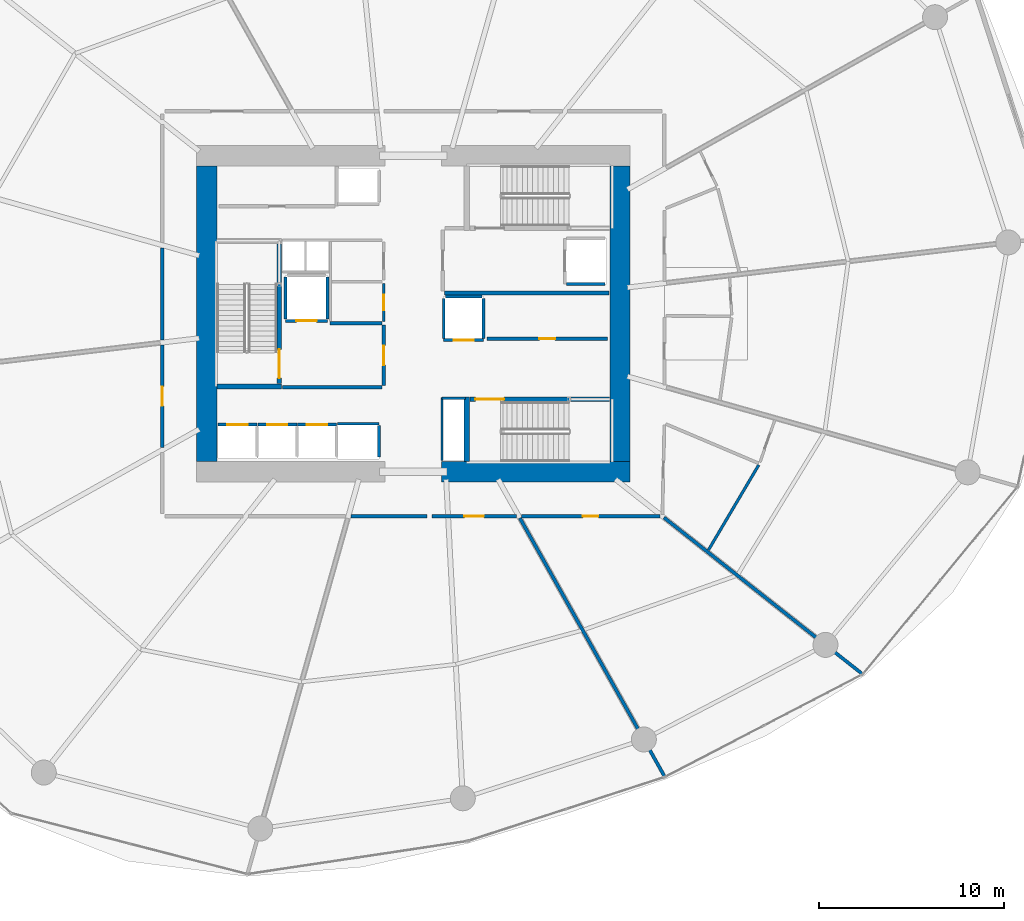
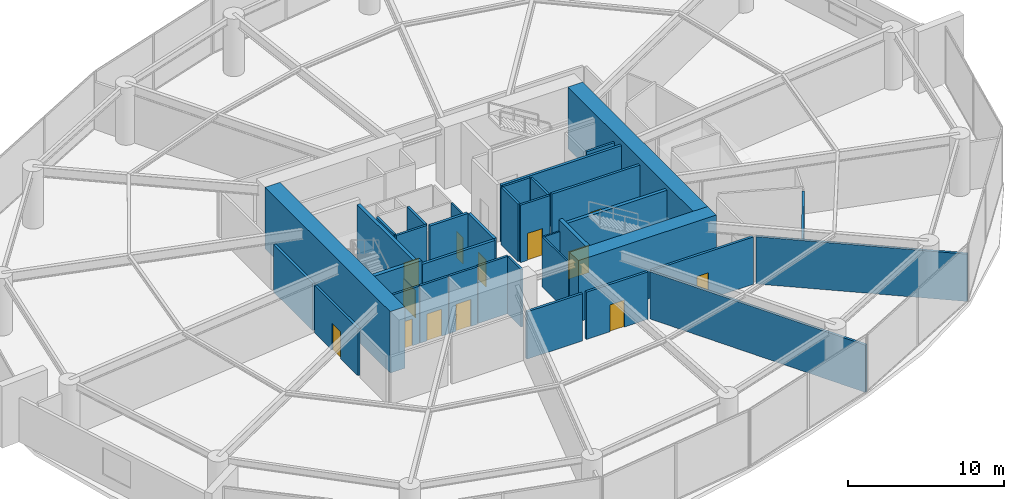
# One storey, part 18 of 22: 36 walls, 13 doors, 13 openings.
"""IFC4 building model written with IfcOpenShell, lengths in metres."""

from ifc_helpers import new_model, si_unit, direction, frame, frame_2d, origin, place, context, subcontext, project, spatial, rectangle, extrude, material, layer, layer_set, type_object, element, fill, save


model = new_model("IFC4")

# Units and contexts
model_context = context("Model", 3, precision=1e-05, world=origin(), true_north=direction((0.0, 1.0)))
body_context = subcontext(model_context, "Body", "Model", "MODEL_VIEW")
ifc_project = project(units=[si_unit("LENGTHUNIT", "METRE"), si_unit("AREAUNIT", "SQUARE_METRE"), si_unit("VOLUMEUNIT", "CUBIC_METRE"), si_unit("PLANEANGLEUNIT", "RADIAN"), si_unit("MASSUNIT", "GRAM", prefix="KILO")], contexts=[model_context])

# Site, building, storey
site_placement = place(None, origin())
site = spatial("IfcSite", under=ifc_project, at=site_placement, CompositionType="ELEMENT")
building_placement = place(site_placement, origin())
building = spatial("IfcBuilding", under=site, at=building_placement, Name="Kazma Halo Residences", CompositionType="ELEMENT")
storey_placement = place(building_placement, frame((0.0, 0.0, 12.0)))
storey = spatial("IfcBuildingStorey", under=building, at=storey_placement, Name="L02", CompositionType="ELEMENT", Elevation=12.0)

# Walls
ifc_material_1 = material(Name="Concrete C80/95", Category="concrete")
ifc_layer_1 = layer(ifc_material_1, 1.10009765625)
ifc_layer_set_1 = layer_set([ifc_layer_1], Name="Concrete C80/95")
wall_type_1 = type_object("IfcWallType", Name="WL-CORE-1100", PredefinedType="SHEAR", material=ifc_layer_set_1)
wall_1_placement = place(storey_placement, frame((49.949951171875, 33.449951171875, 0.0), z_axis=(0.0, 0.0, 1.0), x_axis=(1.0, 0.0, 0.0)))
element("IfcWall", 1, at=wall_1_placement, inside=storey, type_object=wall_type_1, Name="L02 central core shear wall SE", PredefinedType="SHEAR", context=body_context, shape_type="SweptSolid", body=[
    extrude(rectangle(XDim=10.199951171875, YDim=1.10009765625, at=frame_2d((5.10009765625, 0.0))), origin(), (0.0, 0.0, 1.0), 4.800048828125),
])
for number, where, z_axis, x_axis, name in (
    (2, (37.25, 34.0, 0.0), (0.0, 0.0, 1.0), (0.0, 1.0, 0.0), "L02 central core shear wall W"),
    (3, (59.60009765625, 34.0, 0.0), (0.0, 0.0, 1.0), (0.0, 1.0, 0.0), "L02 central core shear wall E"),
):
    element("IfcWall", number, at=place(storey_placement, frame(where, z_axis=z_axis, x_axis=x_axis)), inside=storey, type_object=wall_type_1, Name=name, PredefinedType="SHEAR", context=body_context, shape_type="SweptSolid", body=[
        extrude(rectangle(XDim=16.0, YDim=1.10009765625, at=frame_2d((8.0, 0.0))), origin(), (0.0, 0.0, 1.0), 4.800048828125),
    ])
ifc_material_2 = material(Name="Concrete C60/75", Category="concrete")
ifc_layer_2 = layer(ifc_material_2, 0.280029296875)
ifc_layer_set_2 = layer_set([ifc_layer_2], Name="Concrete C60/75")
wall_type_2 = type_object("IfcWallType", Name="WL-CORE-ST-280", PredefinedType="SHEAR", material=ifc_layer_set_2)
for number, where, z_axis, x_axis, name in (
    (4, (37.800048828125, 38.06005859375, 0.0), (0.0, 0.0, 1.0), (1.0, 0.0, 0.0), "L02 stairwell bearing wall ST01-S"),
    (5, (51.31005859375, 34.0, 0.0), (0.0, 0.0, 1.0), (0.0, 1.0, 0.0), "L02 stairwell bearing wall ST03-W"),
):
    element("IfcWall", number, at=place(storey_placement, frame(where, z_axis=z_axis, x_axis=x_axis)), inside=storey, type_object=wall_type_2, Name=name, PredefinedType="SHEAR", context=body_context, shape_type="SweptSolid", body=[
        extrude(rectangle(XDim=3.5, YDim=0.280029296875, at=frame_2d((1.75, 0.0))), origin(), (0.0, 0.0, 1.0), 4.800048828125),
    ])
ifc_material_3 = material(Name="Acoustic Twin-Stud Gypsum")
ifc_layer_3 = layer(ifc_material_3, 0.179931640625)
ifc_layer_set_3 = layer_set([ifc_layer_3], Name="Acoustic Twin-Stud Gypsum")
wall_type_3 = type_object("IfcWallType", Name="WL-DEM-180", PredefinedType="PARTITIONING", material=ifc_layer_set_3)
wall_2_placement = place(storey_placement, frame((34.85009765625, 45.568603515625, 0.0), z_axis=(0.0, 0.0, 1.0), x_axis=(0.0, -1.0, 0.0)))
element("IfcWall", 6, at=wall_2_placement, inside=storey, type_object=wall_type_3, Name="L02 Hydrotherapy Spa Lounge corridor wall", PredefinedType="PARTITIONING", context=body_context, shape_type="SweptSolid", body=[
    extrude(rectangle(XDim=4.985107421875, YDim=0.179931640625, at=frame_2d((2.49267578125, 0.0))), origin(), (0.0, 0.0, 1.0), 3.693115234375),
])

# Wall, opening, door
wall_3_placement = place(storey_placement, frame((34.85009765625, 40.3037109375, 0.0), z_axis=(0.0, 0.0, 1.0), x_axis=(0.0, -1.0, 0.0)))
wall_3 = element("IfcWall", 7, at=wall_3_placement, inside=storey, type_object=wall_type_3, Name="L02 Hydrotherapy Linen Store Room corridor wall", PredefinedType="PARTITIONING", context=body_context, shape_type="SweptSolid", body=[
    extrude(rectangle(XDim=5.528076171875, YDim=0.179931640625, at=frame_2d((2.76416015625, 0.0))), origin(), (0.0, 0.0, 1.0), 3.693115234375),
])
opening_1_placement = place(wall_3_placement, frame((2.239013671875, 0.0, 0.0)))
opening_1 = element("IfcOpeningElement", 8, at=opening_1_placement, cuts=wall_3, Name="Opening DF-1050", PredefinedType="OPENING", context=body_context, shape_type="SweptSolid", body=[
    extrude(rectangle(XDim=1.050048828125, YDim=2.10009765625, at=frame_2d((0.52490234375, 1.050048828125))), frame((0.0, 0.099853515625, 0.0), z_axis=(0.0, -1.0, 0.0), x_axis=(1.0, 0.0, 0.0)), (0.0, 0.0, 1.0), 0.199951171875),
])
ifc_material_4 = material(Name="Fire-Rated Steel Leaf", Category="steel")
door_type_1 = type_object("IfcDoorType", Name="DR-FD90-1050", OperationType="NOTDEFINED", PredefinedType="DOOR", material=ifc_material_4)
door_1_placement = place(opening_1_placement, origin())
door_1 = element("IfcDoor", 9, at=door_1_placement, inside=storey, type_object=door_type_1, Name="L02 Hydrotherapy Linen Store Room entrance door", OperationType="SINGLE_SWING_RIGHT", OverallHeight=2.10009765625, OverallWidth=1.050048828125, PredefinedType="DOOR", context=body_context, shape_type="SweptSolid", body=[
    extrude(rectangle(XDim=1.050048828125, YDim=2.10009765625, at=frame_2d((0.52490234375, 1.050048828125))), frame((0.0, 0.02490234375, 0.0), z_axis=(0.0, -1.0, 0.0), x_axis=(1.0, 0.0, 0.0)), (0.0, 0.0, 1.0), 0.050048828125),
])
fill(opening_1, door_1)

# Wall
wall_4_placement = place(storey_placement, frame((45.0517578125, 31.050048828125, 0.0), z_axis=(0.0, 0.0, 1.0), x_axis=(1.0, 0.0, 0.0)))
element("IfcWall", 10, at=wall_4_placement, inside=storey, type_object=wall_type_3, Name="L02 Wellness Linen and Towel Store corridor wall", PredefinedType="PARTITIONING", context=body_context, shape_type="SweptSolid", body=[
    extrude(rectangle(XDim=4.104248046875, YDim=0.179931640625, at=frame_2d((2.05224609375, 0.0))), origin(), (0.0, 0.0, 1.0), 3.693115234375),
])

# Wall, opening, door
wall_5_placement = place(storey_placement, frame((49.43603515625, 31.050048828125, 0.0), z_axis=(0.0, 0.0, 1.0), x_axis=(1.0, 0.0, 0.0)))
wall_5 = element("IfcWall", 11, at=wall_5_placement, inside=storey, type_object=wall_type_3, Name="L02 Wellness Linen and Towel Store corridor wall", PredefinedType="PARTITIONING", context=body_context, shape_type="SweptSolid", body=[
    extrude(rectangle(XDim=4.55615234375, YDim=0.179931640625, at=frame_2d((2.278076171875, 0.0))), origin(), (0.0, 0.0, 1.0), 3.693115234375),
])
opening_2_placement = place(wall_5_placement, frame((1.753173828125, 0.0, 0.0)))
opening_2 = element("IfcOpeningElement", 12, at=opening_2_placement, cuts=wall_5, Name="Opening DF-1050", PredefinedType="OPENING", context=body_context, shape_type="SweptSolid", body=[
    extrude(rectangle(XDim=1.050048828125, YDim=2.10009765625, at=frame_2d((0.52490234375, 1.050048828125))), frame((0.0, 0.099853515625, 0.0), z_axis=(0.0, -1.0, 0.0), x_axis=(1.0, 0.0, 0.0)), (0.0, 0.0, 1.0), 0.199951171875),
])
door_2_placement = place(opening_2_placement, origin())
door_2 = element("IfcDoor", 13, at=door_2_placement, inside=storey, type_object=door_type_1, Name="L02 Wellness Linen and Towel Store entrance door", OperationType="SINGLE_SWING_LEFT", OverallHeight=2.10009765625, OverallWidth=1.050048828125, PredefinedType="DOOR", context=body_context, shape_type="SweptSolid", body=[
    extrude(rectangle(XDim=1.050048828125, YDim=2.10009765625, at=frame_2d((0.52490234375, 1.050048828125))), frame((0.0, 0.02490234375, 0.0), z_axis=(0.0, -1.0, 0.0), x_axis=(1.0, 0.0, 0.0)), (0.0, 0.0, 1.0), 0.050048828125),
])
fill(opening_2, door_2)

# Wall
wall_6_placement = place(storey_placement, frame((54.18603515625, 30.9541015625, 0.0), z_axis=(0.0, 0.0, 1.0), x_axis=(0.48862053439, -0.872496403071, 0.0)))
element("IfcWall", 14, at=wall_6_placement, inside=storey, type_object=wall_type_3, Name="L02 radial partition wall 12", PredefinedType="PARTITIONING", context=body_context, shape_type="SweptSolid", body=[
    extrude(rectangle(XDim=16.0244140625, YDim=0.179931640625, at=frame_2d((8.01220703125, 0.0))), origin(), (0.0, 0.0, 1.0), 3.693115234375),
])

# Wall, opening, door
wall_7_placement = place(storey_placement, frame((54.272216796875, 31.050048828125, 0.0), z_axis=(0.0, 0.0, 1.0), x_axis=(1.0, 0.0, 0.0)))
wall_7 = element("IfcWall", 15, at=wall_7_placement, inside=storey, type_object=wall_type_3, Name="L02 Spa Equipment Store Room corridor wall", PredefinedType="PARTITIONING", context=body_context, shape_type="SweptSolid", body=[
    extrude(rectangle(XDim=7.477783203125, YDim=0.179931640625, at=frame_2d((3.73876953125, 0.0))), origin(), (0.0, 0.0, 1.0), 3.693115234375),
])
opening_3_placement = place(wall_7_placement, frame((3.313720703125, 0.0, 0.0)))
opening_3 = element("IfcOpeningElement", 16, at=opening_3_placement, cuts=wall_7, Name="Opening DS-850", PredefinedType="OPENING", context=body_context, shape_type="SweptSolid", body=[
    extrude(rectangle(XDim=0.85009765625, YDim=2.06005859375, at=frame_2d((0.425048828125, 1.030029296875))), frame((0.0, 0.099853515625, 0.0), z_axis=(0.0, -1.0, 0.0), x_axis=(1.0, 0.0, 0.0)), (0.0, 0.0, 1.0), 0.199951171875),
])
ifc_material_5 = material(Name="Painted Steel Access Leaf", Category="steel")
door_type_2 = type_object("IfcDoorType", Name="DR-SVC-850", OperationType="NOTDEFINED", PredefinedType="DOOR", material=ifc_material_5)
door_3_placement = place(opening_3_placement, origin())
door_3 = element("IfcDoor", 17, at=door_3_placement, inside=storey, type_object=door_type_2, Name="L02 Spa Equipment Store Room entrance door", OperationType="SINGLE_SWING_RIGHT", OverallHeight=2.06005859375, OverallWidth=0.85009765625, PredefinedType="DOOR", context=body_context, shape_type="SweptSolid", body=[
    extrude(rectangle(XDim=0.85009765625, YDim=2.06005859375, at=frame_2d((0.425048828125, 1.030029296875))), frame((0.0, 0.02490234375, 0.0), z_axis=(0.0, -1.0, 0.0), x_axis=(1.0, 0.0, 0.0)), (0.0, 0.0, 1.0), 0.050048828125),
])
fill(opening_3, door_3)

# Wall
wall_8_placement = place(storey_placement, frame((61.976318359375, 30.98193359375, 0.0), z_axis=(0.0, 0.0, 1.0), x_axis=(0.785315783489, -0.619095404766, 0.0)))
element("IfcWall", 18, at=wall_8_placement, inside=storey, type_object=wall_type_3, Name="L02 radial partition wall 13", PredefinedType="PARTITIONING", context=body_context, shape_type="SweptSolid", body=[
    extrude(rectangle(XDim=13.6611328125, YDim=0.179931640625, at=frame_2d((6.83056640625, 0.0))), origin(), (0.0, 0.0, 1.0), 3.693115234375),
])

# Wall, opening, door
ifc_material_6 = material(Name="Fire-Rated Blockwork Masonry", Category="masonry")
ifc_layer_4 = layer(ifc_material_6, 0.199951171875)
ifc_layer_set_4 = layer_set([ifc_layer_4], Name="Fire-Rated Blockwork Masonry")
wall_type_4 = type_object("IfcWallType", Name="WL-FLB-200", PredefinedType="PARTITIONING", material=ifc_layer_set_4)
wall_9_placement = place(storey_placement, frame((37.864990234375, 36.0048828125, 0.0), z_axis=(0.0, 0.0, 1.0), x_axis=(1.0, 0.0, 0.0)))
wall_9 = element("IfcWall", 19, at=wall_9_placement, inside=storey, type_object=wall_type_4, Name="L02 lift shaft PL-01 front wall", PredefinedType="PARTITIONING", context=body_context, shape_type="SweptSolid", body=[
    extrude(rectangle(XDim=2.110107421875, YDim=0.159912109375, at=frame_2d((1.05517578125, 0.0))), origin(), (0.0, 0.0, 1.0), 4.47998046875),
])
opening_4_placement = place(wall_9_placement, frame((0.5048828125, 0.0, 0.0)))
opening_4 = element("IfcOpeningElement", 20, at=opening_4_placement, cuts=wall_9, Name="Opening LD-PL-01", PredefinedType="OPENING", context=body_context, shape_type="SweptSolid", body=[
    extrude(rectangle(XDim=1.10009765625, YDim=2.10009765625, at=frame_2d((0.550048828125, 1.050048828125))), frame((0.0, 0.08984375, 0.0), z_axis=(0.0, -1.0, 0.0), x_axis=(1.0, 0.0, 0.0)), (0.0, 0.0, 1.0), 0.179931640625),
])
ifc_material_7 = material(Name="Stainless Steel Fire-Rated", Category="steel")
door_type_3 = type_object("IfcDoorType", Name="DR-LIFT-SLD-1100", OperationType="DOUBLE_DOOR_SLIDING", PredefinedType="DOOR", material=ifc_material_7)
door_4_placement = place(opening_4_placement, origin())
door_4 = element("IfcDoor", 21, at=door_4_placement, inside=storey, type_object=door_type_3, Name="L02 lift PL-01 sliding landing door", OperationType="DOUBLE_DOOR_SLIDING", OverallHeight=2.10009765625, OverallWidth=1.10009765625, PredefinedType="DOOR", context=body_context, shape_type="SweptSolid", body=[
    extrude(rectangle(XDim=1.10009765625, YDim=2.10009765625, at=frame_2d((0.550048828125, 1.050048828125))), frame((0.0, 0.02490234375, 0.0), z_axis=(0.0, -1.0, 0.0), x_axis=(1.0, 0.0, 0.0)), (0.0, 0.0, 1.0), 0.050048828125),
])
fill(opening_4, door_4)

wall_10_placement = place(storey_placement, frame((40.014892578125, 36.0048828125, 0.0), z_axis=(0.0, 0.0, 1.0), x_axis=(1.0, 0.0, 0.0)))
wall_10 = element("IfcWall", 22, at=wall_10_placement, inside=storey, type_object=wall_type_4, Name="L02 lift shaft PL-02 front wall", PredefinedType="PARTITIONING", context=body_context, shape_type="SweptSolid", body=[
    extrude(rectangle(XDim=2.110107421875, YDim=0.159912109375, at=frame_2d((1.05517578125, 0.0))), origin(), (0.0, 0.0, 1.0), 4.47998046875),
])
opening_5_placement = place(wall_10_placement, frame((0.5048828125, 0.0, 0.0)))
opening_5 = element("IfcOpeningElement", 23, at=opening_5_placement, cuts=wall_10, Name="Opening LD-PL-02", PredefinedType="OPENING", context=body_context, shape_type="SweptSolid", body=[
    extrude(rectangle(XDim=1.10009765625, YDim=2.10009765625, at=frame_2d((0.550048828125, 1.050048828125))), frame((0.0, 0.08984375, 0.0), z_axis=(0.0, -1.0, 0.0), x_axis=(1.0, 0.0, 0.0)), (0.0, 0.0, 1.0), 0.179931640625),
])
door_5_placement = place(opening_5_placement, origin())
door_5 = element("IfcDoor", 24, at=door_5_placement, inside=storey, type_object=door_type_3, Name="L02 lift PL-02 sliding landing door", OperationType="DOUBLE_DOOR_SLIDING", OverallHeight=2.10009765625, OverallWidth=1.10009765625, PredefinedType="DOOR", context=body_context, shape_type="SweptSolid", body=[
    extrude(rectangle(XDim=1.10009765625, YDim=2.10009765625, at=frame_2d((0.550048828125, 1.050048828125))), frame((0.0, 0.02490234375, 0.0), z_axis=(0.0, -1.0, 0.0), x_axis=(1.0, 0.0, 0.0)), (0.0, 0.0, 1.0), 0.050048828125),
])
fill(opening_5, door_5)

wall_11_placement = place(storey_placement, frame((42.1650390625, 36.0048828125, 0.0), z_axis=(0.0, 0.0, 1.0), x_axis=(1.0, 0.0, 0.0)))
wall_11 = element("IfcWall", 25, at=wall_11_placement, inside=storey, type_object=wall_type_4, Name="L02 lift shaft PL-03 front wall", PredefinedType="PARTITIONING", context=body_context, shape_type="SweptSolid", body=[
    extrude(rectangle(XDim=2.10986328125, YDim=0.159912109375, at=frame_2d((1.054931640625, 0.0))), origin(), (0.0, 0.0, 1.0), 4.47998046875),
])
opening_6_placement = place(wall_11_placement, frame((0.5048828125, 0.0, 0.0)))
opening_6 = element("IfcOpeningElement", 26, at=opening_6_placement, cuts=wall_11, Name="Opening LD-PL-03", PredefinedType="OPENING", context=body_context, shape_type="SweptSolid", body=[
    extrude(rectangle(XDim=1.10009765625, YDim=2.10009765625, at=frame_2d((0.550048828125, 1.050048828125))), frame((0.0, 0.08984375, 0.0), z_axis=(0.0, -1.0, 0.0), x_axis=(1.0, 0.0, 0.0)), (0.0, 0.0, 1.0), 0.179931640625),
])
door_6_placement = place(opening_6_placement, origin())
door_6 = element("IfcDoor", 27, at=door_6_placement, inside=storey, type_object=door_type_3, Name="L02 lift PL-03 sliding landing door", OperationType="DOUBLE_DOOR_SLIDING", OverallHeight=2.10009765625, OverallWidth=1.10009765625, PredefinedType="DOOR", context=body_context, shape_type="SweptSolid", body=[
    extrude(rectangle(XDim=1.10009765625, YDim=2.10009765625, at=frame_2d((0.550048828125, 1.050048828125))), frame((0.0, 0.02490234375, 0.0), z_axis=(0.0, -1.0, 0.0), x_axis=(1.0, 0.0, 0.0)), (0.0, 0.0, 1.0), 0.050048828125),
])
fill(opening_6, door_6)

# Walls
wall_12_placement = place(storey_placement, frame((44.320068359375, 36.054931640625, 0.0), z_axis=(0.0, 0.0, 1.0), x_axis=(1.0, 0.0, 0.0)))
element("IfcWall", 28, at=wall_12_placement, inside=storey, type_object=wall_type_4, Name="L02 lift shaft PX-02 front wall", PredefinedType="PARTITIONING", context=body_context, shape_type="SweptSolid", body=[
    extrude(rectangle(XDim=2.260009765625, YDim=0.159912109375, at=frame_2d((1.1298828125, 0.0))), origin(), (0.0, 0.0, 1.0), 4.47998046875),
])
wall_13_placement = place(storey_placement, frame((46.580078125, 34.2451171875, 0.0), z_axis=(0.0, 0.0, 1.0), x_axis=(0.0, 1.0, 0.0)))
element("IfcWall", 29, at=wall_13_placement, inside=storey, type_object=wall_type_4, Name="L02 lift shaft PX-02 side wall E", PredefinedType="PARTITIONING", context=body_context, shape_type="SweptSolid", body=[
    extrude(rectangle(XDim=1.7099609375, YDim=0.159912109375, at=frame_2d((0.85498046875, 0.0))), origin(), (0.0, 0.0, 1.0), 4.47998046875),
])

# Wall, opening, door
wall_14_placement = place(storey_placement, frame((43.780029296875, 41.6201171875, 0.0), z_axis=(0.0, 0.0, 1.0), x_axis=(-1.0, 0.0, 0.0)))
wall_14 = element("IfcWall", 30, at=wall_14_placement, inside=storey, type_object=wall_type_4, Name="L02 lift shaft FL-01 front wall", PredefinedType="PARTITIONING", context=body_context, shape_type="SweptSolid", body=[
    extrude(rectangle(XDim=2.260009765625, YDim=0.159912109375, at=frame_2d((1.1298828125, 0.0))), origin(), (0.0, 0.0, 1.0), 4.47998046875),
])
opening_7_placement = place(wall_14_placement, frame((0.580078125, 0.0, 0.0)))
opening_7 = element("IfcOpeningElement", 31, at=opening_7_placement, cuts=wall_14, Name="Opening LD-FL-01", PredefinedType="OPENING", context=body_context, shape_type="SweptSolid", body=[
    extrude(rectangle(XDim=1.10009765625, YDim=2.10009765625, at=frame_2d((0.550048828125, 1.050048828125))), frame((0.0, 0.08984375, 0.0), z_axis=(0.0, -1.0, 0.0), x_axis=(1.0, 0.0, 0.0)), (0.0, 0.0, 1.0), 0.179931640625),
])
door_7_placement = place(opening_7_placement, origin())
door_7 = element("IfcDoor", 32, at=door_7_placement, inside=storey, type_object=door_type_3, Name="L02 lift FL-01 sliding landing door", OperationType="DOUBLE_DOOR_SLIDING", OverallHeight=2.10009765625, OverallWidth=1.10009765625, PredefinedType="DOOR", context=body_context, shape_type="SweptSolid", body=[
    extrude(rectangle(XDim=1.10009765625, YDim=2.10009765625, at=frame_2d((0.550048828125, 1.050048828125))), frame((0.0, 0.02490234375, 0.0), z_axis=(0.0, -1.0, 0.0), x_axis=(1.0, 0.0, 0.0)), (0.0, 0.0, 1.0), 0.050048828125),
])
fill(opening_7, door_7)

# Walls
for number, where, z_axis, x_axis, name in (
    (33, (43.780029296875, 41.719970703125, 0.0), (0.0, 0.0, 1.0), (0.0, 1.0, 0.0), "L02 lift shaft FL-01 side wall E"),
    (34, (41.52001953125, 41.719970703125, 0.0), (0.0, 0.0, 1.0), (0.0, 1.0, 0.0), "L02 lift shaft FL-01 side wall W"),
):
    element("IfcWall", number, at=place(storey_placement, frame(where, z_axis=z_axis, x_axis=x_axis)), inside=storey, type_object=wall_type_4, Name=name, PredefinedType="PARTITIONING", context=body_context, shape_type="SweptSolid", body=[
        extrude(rectangle(XDim=2.260009765625, YDim=0.159912109375, at=frame_2d((1.1298828125, 0.0))), origin(), (0.0, 0.0, 1.0), 4.47998046875),
    ])
wall_15_placement = place(storey_placement, frame((56.719970703125, 43.6201171875, 0.0), z_axis=(0.0, 0.0, 1.0), x_axis=(1.0, 0.0, 0.0)))
element("IfcWall", 35, at=wall_15_placement, inside=storey, type_object=wall_type_4, Name="L02 lift shaft FL-02 side wall S", PredefinedType="PARTITIONING", context=body_context, shape_type="SweptSolid", body=[
    extrude(rectangle(XDim=2.06005859375, YDim=0.159912109375, at=frame_2d((1.030029296875, 0.0))), origin(), (0.0, 0.0, 1.0), 4.47998046875),
])

# Wall, opening, door
wall_16_placement = place(storey_placement, frame((52.22998046875, 40.570068359375, 0.0), z_axis=(0.0, 0.0, 1.0), x_axis=(-1.0, 0.0, 0.0)))
wall_16 = element("IfcWall", 36, at=wall_16_placement, inside=storey, type_object=wall_type_4, Name="L02 lift shaft SV-01 front wall", PredefinedType="PARTITIONING", context=body_context, shape_type="SweptSolid", body=[
    extrude(rectangle(XDim=2.159912109375, YDim=0.159912109375, at=frame_2d((1.080078125, 0.0))), origin(), (0.0, 0.0, 1.0), 4.47998046875),
])
opening_8_placement = place(wall_16_placement, frame((0.530029296875, 0.0, 0.0)))
opening_8 = element("IfcOpeningElement", 37, at=opening_8_placement, cuts=wall_16, Name="Opening LD-SV-01", PredefinedType="OPENING", context=body_context, shape_type="SweptSolid", body=[
    extrude(rectangle(XDim=1.10009765625, YDim=2.10009765625, at=frame_2d((0.550048828125, 1.050048828125))), frame((0.0, 0.08984375, 0.0), z_axis=(0.0, -1.0, 0.0), x_axis=(1.0, 0.0, 0.0)), (0.0, 0.0, 1.0), 0.179931640625),
])
door_8_placement = place(opening_8_placement, origin())
door_8 = element("IfcDoor", 38, at=door_8_placement, inside=storey, type_object=door_type_3, Name="L02 lift SV-01 sliding landing door", OperationType="DOUBLE_DOOR_SLIDING", OverallHeight=2.10009765625, OverallWidth=1.10009765625, PredefinedType="DOOR", context=body_context, shape_type="SweptSolid", body=[
    extrude(rectangle(XDim=1.10009765625, YDim=2.10009765625, at=frame_2d((0.550048828125, 1.050048828125))), frame((0.0, 0.02490234375, 0.0), z_axis=(0.0, -1.0, 0.0), x_axis=(1.0, 0.0, 0.0)), (0.0, 0.0, 1.0), 0.050048828125),
])
fill(opening_8, door_8)

# Walls
for number, where, z_axis, x_axis, name in (
    (39, (52.22998046875, 40.669921875, 0.0), (0.0, 0.0, 1.0), (0.0, 1.0, 0.0), "L02 lift shaft SV-01 side wall E"),
    (40, (50.070068359375, 40.669921875, 0.0), (0.0, 0.0, 1.0), (0.0, 1.0, 0.0), "L02 lift shaft SV-01 side wall W"),
):
    element("IfcWall", number, at=place(storey_placement, frame(where, z_axis=z_axis, x_axis=x_axis)), inside=storey, type_object=wall_type_4, Name=name, PredefinedType="PARTITIONING", context=body_context, shape_type="SweptSolid", body=[
        extrude(rectangle(XDim=2.16015625, YDim=0.159912109375, at=frame_2d((1.080078125, 0.0))), origin(), (0.0, 0.0, 1.0), 4.47998046875),
    ])
wall_17_placement = place(storey_placement, frame((50.169921875, 42.929931640625, 0.0), z_axis=(0.0, 0.0, 1.0), x_axis=(1.0, 0.0, 0.0)))
element("IfcWall", 41, at=wall_17_placement, inside=storey, type_object=wall_type_4, Name="L02 lift shaft SV-01 side wall N", PredefinedType="PARTITIONING", context=body_context, shape_type="SweptSolid", body=[
    extrude(rectangle(XDim=1.9599609375, YDim=0.159912109375, at=frame_2d((0.97998046875, 0.0))), origin(), (0.0, 0.0, 1.0), 4.47998046875),
])

# Wall, opening, door
wall_18_placement = place(storey_placement, frame((52.419921875, 40.64990234375, 0.0), z_axis=(0.0, 0.0, 1.0), x_axis=(1.0, 0.0, 0.0)))
wall_18 = element("IfcWall", 42, at=wall_18_placement, inside=storey, type_object=wall_type_4, Name="L02 core east reserve wall", PredefinedType="PARTITIONING", context=body_context, shape_type="SweptSolid", body=[
    extrude(rectangle(XDim=6.5, YDim=0.179931640625, at=frame_2d((3.25, 0.0))), origin(), (0.0, 0.0, 1.0), 4.47998046875),
])
opening_9_placement = place(wall_18_placement, frame((2.824951171875, 0.0, 0.0)))
opening_9 = element("IfcOpeningElement", 43, at=opening_9_placement, cuts=wall_18, Name="Opening DS-850", PredefinedType="OPENING", context=body_context, shape_type="SweptSolid", body=[
    extrude(rectangle(XDim=0.85009765625, YDim=2.06005859375, at=frame_2d((0.425048828125, 1.030029296875))), frame((0.0, 0.099853515625, 0.0), z_axis=(0.0, -1.0, 0.0), x_axis=(1.0, 0.0, 0.0)), (0.0, 0.0, 1.0), 0.199951171875),
])
door_9_placement = place(opening_9_placement, origin())
door_9 = element("IfcDoor", 44, at=door_9_placement, inside=storey, type_object=door_type_2, Name="L02 core east reserve door", OperationType="SINGLE_SWING_LEFT", OverallHeight=2.06005859375, OverallWidth=0.85009765625, PredefinedType="DOOR", context=body_context, shape_type="SweptSolid", body=[
    extrude(rectangle(XDim=0.85009765625, YDim=2.06005859375, at=frame_2d((0.425048828125, 1.030029296875))), frame((0.0, 0.02490234375, 0.0), z_axis=(0.0, -1.0, 0.0), x_axis=(1.0, 0.0, 0.0)), (0.0, 0.0, 1.0), 0.050048828125),
])
fill(opening_9, door_9)

# Walls
wall_19_placement = place(storey_placement, frame((41.35009765625, 38.02001953125, 0.0), z_axis=(0.0, 0.0, 1.0), x_axis=(1.0, 0.0, 0.0)))
element("IfcWall", 45, at=wall_19_placement, inside=storey, type_object=wall_type_4, Name="L02 west firefighting lobby south smoke wall", PredefinedType="PARTITIONING", context=body_context, shape_type="SweptSolid", body=[
    extrude(rectangle(XDim=5.369873046875, YDim=0.199951171875, at=frame_2d((2.68505859375, 0.0))), origin(), (0.0, 0.0, 1.0), 4.47998046875),
])
wall_20_placement = place(storey_placement, frame((43.919921875, 41.47998046875, 0.0), z_axis=(0.0, 0.0, 1.0), x_axis=(1.0, 0.0, 0.0)))
element("IfcWall", 46, at=wall_20_placement, inside=storey, type_object=wall_type_4, Name="L02 west firefighting lobby north smoke wall", PredefinedType="PARTITIONING", context=body_context, shape_type="SweptSolid", body=[
    extrude(rectangle(XDim=2.800048828125, YDim=0.199951171875, at=frame_2d((1.39990234375, 0.0))), origin(), (0.0, 0.0, 1.0), 4.47998046875),
])

# Wall, opening, door
wall_21_placement = place(storey_placement, frame((46.820068359375, 38.1201171875, 0.0), z_axis=(0.0, 0.0, 1.0), x_axis=(0.0, 1.0, 0.0)))
wall_21 = element("IfcWall", 47, at=wall_21_placement, inside=storey, type_object=wall_type_4, Name="L02 west firefighting lobby smoke wall", PredefinedType="PARTITIONING", context=body_context, shape_type="SweptSolid", body=[
    extrude(rectangle(XDim=3.259765625, YDim=0.199951171875, at=frame_2d((1.6298828125, 0.0))), origin(), (0.0, 0.0, 1.0), 4.47998046875),
])
opening_10_placement = place(wall_21_placement, frame((1.10498046875, 0.0, 0.0)))
opening_10 = element("IfcOpeningElement", 48, at=opening_10_placement, cuts=wall_21, Name="Opening D-FLW", PredefinedType="OPENING", context=body_context, shape_type="SweptSolid", body=[
    extrude(rectangle(XDim=1.050048828125, YDim=2.10009765625, at=frame_2d((0.52490234375, 1.050048828125))), frame((0.0, 0.10986328125, 0.0), z_axis=(0.0, -1.0, 0.0), x_axis=(1.0, 0.0, 0.0)), (0.0, 0.0, 1.0), 0.219970703125),
])
door_10_placement = place(opening_10_placement, origin())
door_10 = element("IfcDoor", 49, at=door_10_placement, inside=storey, type_object=door_type_1, Name="L02 west firefighting lobby smoke door", OperationType="SINGLE_SWING_LEFT", OverallHeight=2.10009765625, OverallWidth=1.050048828125, PredefinedType="DOOR", context=body_context, shape_type="SweptSolid", body=[
    extrude(rectangle(XDim=1.050048828125, YDim=2.10009765625, at=frame_2d((0.52490234375, 1.050048828125))), frame((0.0, 0.02490234375, 0.0), z_axis=(0.0, -1.0, 0.0), x_axis=(1.0, 0.0, 0.0)), (0.0, 0.0, 1.0), 0.050048828125),
])
fill(opening_10, door_10)

# Walls
wall_22_placement = place(storey_placement, frame((50.1201171875, 43.1201171875, 0.0), z_axis=(0.0, 0.0, 1.0), x_axis=(1.0, 0.0, 0.0)))
element("IfcWall", 50, at=wall_22_placement, inside=storey, type_object=wall_type_4, Name="L02 east firefighting lobby south smoke wall", PredefinedType="PARTITIONING", context=body_context, shape_type="SweptSolid", body=[
    extrude(rectangle(XDim=8.8798828125, YDim=0.199951171875, at=frame_2d((4.43994140625, 0.0))), origin(), (0.0, 0.0, 1.0), 4.47998046875),
])
ifc_material_8 = material(Name="Gypsum Plasterboard Partition")
ifc_layer_5 = layer(ifc_material_8, 0.125)
ifc_layer_set_5 = layer_set([ifc_layer_5], Name="Gypsum Plasterboard Partition")
wall_type_5 = type_object("IfcWallType", Name="WL-PART-125", PredefinedType="PARTITIONING", material=ifc_layer_set_5)
wall_23_placement = place(storey_placement, frame((49.97998046875, 34.06005859375, 0.0), z_axis=(0.0, 0.0, 1.0), x_axis=(0.0, 1.0, 0.0)))
element("IfcWall", 51, at=wall_23_placement, inside=storey, type_object=wall_type_5, Name="L02 standpipe riser wall", PredefinedType="PARTITIONING", context=body_context, shape_type="SweptSolid", body=[
    extrude(rectangle(XDim=3.39990234375, YDim=0.125, at=frame_2d((1.699951171875, 0.0))), origin(), (0.0, 0.0, 1.0), 3.919921875),
])
wall_24_placement = place(storey_placement, frame((49.97998046875, 37.43994140625, 0.0), z_axis=(0.0, 0.0, 1.0), x_axis=(1.0, 0.0, 0.0)))
element("IfcWall", 52, at=wall_24_placement, inside=storey, type_object=wall_type_5, Name="L02 standpipe riser north wall", PredefinedType="PARTITIONING", context=body_context, shape_type="SweptSolid", body=[
    extrude(rectangle(XDim=1.260009765625, YDim=0.125, at=frame_2d((0.6298828125, 0.0))), origin(), (0.0, 0.0, 1.0), 3.919921875),
])

# Wall, opening, door
wall_25_placement = place(storey_placement, frame((46.820068359375, 41.580078125, 0.0), z_axis=(0.0, 0.0, 1.0), x_axis=(0.0, 1.0, 0.0)))
wall_25 = element("IfcWall", 53, at=wall_25_placement, inside=storey, type_object=wall_type_5, Name="L02 electrical switch room east wall", PredefinedType="PARTITIONING", context=body_context, shape_type="SweptSolid", body=[
    extrude(rectangle(XDim=2.0498046875, YDim=0.125, at=frame_2d((1.02490234375, 0.0))), origin(), (0.0, 0.0, 1.0), 3.919921875),
])
opening_11_placement = place(wall_25_placement, frame((0.60009765625, 0.0, 0.0)))
opening_11 = element("IfcOpeningElement", 54, at=opening_11_placement, cuts=wall_25, Name="Opening DS-850", PredefinedType="OPENING", context=body_context, shape_type="SweptSolid", body=[
    extrude(rectangle(XDim=0.85009765625, YDim=2.06005859375, at=frame_2d((0.425048828125, 1.030029296875))), frame((0.0, 0.072509765625, 0.0), z_axis=(0.0, -1.0, 0.0), x_axis=(1.0, 0.0, 0.0)), (0.0, 0.0, 1.0), 0.14501953125),
])
door_11_placement = place(opening_11_placement, origin())
door_11 = element("IfcDoor", 55, at=door_11_placement, inside=storey, type_object=door_type_2, Name="L02 electrical switch room door", OperationType="SINGLE_SWING_LEFT", OverallHeight=2.06005859375, OverallWidth=0.85009765625, PredefinedType="DOOR", context=body_context, shape_type="SweptSolid", body=[
    extrude(rectangle(XDim=0.85009765625, YDim=2.06005859375, at=frame_2d((0.425048828125, 1.030029296875))), frame((0.0, 0.02490234375, 0.0), z_axis=(0.0, -1.0, 0.0), x_axis=(1.0, 0.0, 0.0)), (0.0, 0.0, 1.0), 0.050048828125),
])
fill(opening_11, door_11)

ifc_material_9 = material(Name="Concrete C50/60", Category="concrete")
ifc_layer_6 = layer(ifc_material_9, 0.25)
ifc_layer_set_6 = layer_set([ifc_layer_6], Name="Concrete C50/60")
wall_type_6 = type_object("IfcWallType", Name="WL-SHF-250", PredefinedType="SOLIDWALL", material=ifc_layer_set_6)
wall_26_placement = place(storey_placement, frame((41.179931640625, 38.219970703125, 0.0), z_axis=(0.0, 0.0, 1.0), x_axis=(0.0, 1.0, 0.0)))
wall_26 = element("IfcWall", 56, at=wall_26_placement, inside=storey, type_object=wall_type_6, Name="L02 exit stair ST-01 enclosure wall", PredefinedType="SOLIDWALL", context=body_context, shape_type="SweptSolid", body=[
    extrude(rectangle(XDim=7.56005859375, YDim=0.25, at=frame_2d((3.780029296875, 0.0))), origin(), (0.0, 0.0, 1.0), 4.47998046875),
])
opening_12_placement = place(wall_26_placement, frame((0.300048828125, 0.0, 0.0)))
opening_12 = element("IfcOpeningElement", 57, at=opening_12_placement, cuts=wall_26, Name="Opening D-ST1", PredefinedType="OPENING", context=body_context, shape_type="SweptSolid", body=[
    extrude(rectangle(XDim=1.550048828125, YDim=2.14990234375, at=frame_2d((0.77490234375, 1.074951171875))), frame((0.0, 0.135009765625, 0.0), z_axis=(0.0, -1.0, 0.0), x_axis=(1.0, 0.0, 0.0)), (0.0, 0.0, 1.0), 0.27001953125),
])
ifc_material_10 = material(Name="Fire-Rated Double Steel Leaf", Category="steel")
door_type_4 = type_object("IfcDoorType", Name="DR-FD90-1550", OperationType="NOTDEFINED", PredefinedType="DOOR", material=ifc_material_10)
door_12_placement = place(opening_12_placement, origin())
door_12 = element("IfcDoor", 58, at=door_12_placement, inside=storey, type_object=door_type_4, Name="L02 exit stair ST-01 fire door", OperationType="DOUBLE_DOOR_SINGLE_SWING", OverallHeight=2.14990234375, OverallWidth=1.550048828125, PredefinedType="DOOR", context=body_context, shape_type="SweptSolid", body=[
    extrude(rectangle(XDim=1.550048828125, YDim=2.14990234375, at=frame_2d((0.77490234375, 1.074951171875))), frame((0.0, 0.02490234375, 0.0), z_axis=(0.0, -1.0, 0.0), x_axis=(1.0, 0.0, 0.0)), (0.0, 0.0, 1.0), 0.050048828125),
])
fill(opening_12, door_12)

wall_27_placement = place(storey_placement, frame((51.47998046875, 37.3798828125, 0.0), z_axis=(0.0, 0.0, 1.0), x_axis=(1.0, 0.0, 0.0)))
wall_27 = element("IfcWall", 59, at=wall_27_placement, inside=storey, type_object=wall_type_6, Name="L02 exit stair ST-03 enclosure wall", PredefinedType="SOLIDWALL", context=body_context, shape_type="SweptSolid", body=[
    extrude(rectangle(XDim=7.5400390625, YDim=0.25, at=frame_2d((3.77001953125, 0.0))), origin(), (0.0, 0.0, 1.0), 4.47998046875),
])
opening_13_placement = place(wall_27_placement, frame((0.300048828125, 0.0, 0.0)))
opening_13 = element("IfcOpeningElement", 60, at=opening_13_placement, cuts=wall_27, Name="Opening D-ST3", PredefinedType="OPENING", context=body_context, shape_type="SweptSolid", body=[
    extrude(rectangle(XDim=1.550048828125, YDim=2.14990234375, at=frame_2d((0.77490234375, 1.074951171875))), frame((0.0, 0.135009765625, 0.0), z_axis=(0.0, -1.0, 0.0), x_axis=(1.0, 0.0, 0.0)), (0.0, 0.0, 1.0), 0.27001953125),
])
door_13_placement = place(opening_13_placement, origin())
door_13 = element("IfcDoor", 61, at=door_13_placement, inside=storey, type_object=door_type_4, Name="L02 exit stair ST-03 fire door", OperationType="DOUBLE_DOOR_SINGLE_SWING", OverallHeight=2.14990234375, OverallWidth=1.550048828125, PredefinedType="DOOR", context=body_context, shape_type="SweptSolid", body=[
    extrude(rectangle(XDim=1.550048828125, YDim=2.14990234375, at=frame_2d((0.77490234375, 1.074951171875))), frame((0.0, 0.02490234375, 0.0), z_axis=(0.0, -1.0, 0.0), x_axis=(1.0, 0.0, 0.0)), (0.0, 0.0, 1.0), 0.050048828125),
])
fill(opening_13, door_13)

# Wall
ifc_material_11 = material(Name="Moisture-Resistant Gypsum")
ifc_layer_7 = layer(ifc_material_11, 0.14990234375)
ifc_layer_set_7 = layer_set([ifc_layer_7], Name="Moisture-Resistant Gypsum")
wall_type_7 = type_object("IfcWallType", Name="WL-WET-150", PredefinedType="PARTITIONING", material=ifc_layer_set_7)
wall_28_placement = place(storey_placement, frame((64.375244140625, 29.217041015625, 0.0), z_axis=(0.0, 0.0, 1.0), x_axis=(0.509047270842, 0.860738564286, 0.0)))
element("IfcWall", 62, at=wall_28_placement, inside=storey, type_object=wall_type_7, Name="L02 East Changing and WC back wall", PredefinedType="PARTITIONING", context=body_context, shape_type="SweptSolid", body=[
    extrude(rectangle(XDim=5.354248046875, YDim=0.14990234375, at=frame_2d((2.67724609375, 0.0))), origin(), (0.0, 0.0, 1.0), 3.693115234375),
])

save(model, "model.ifc")
